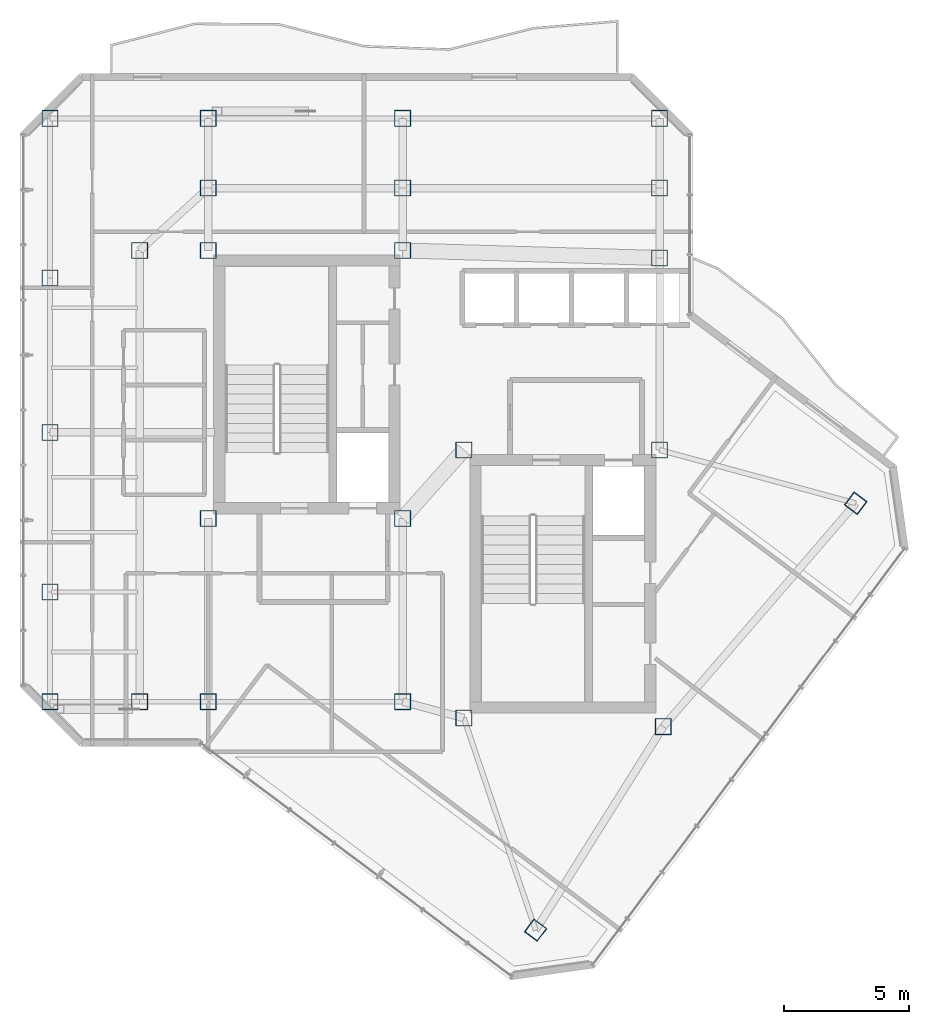
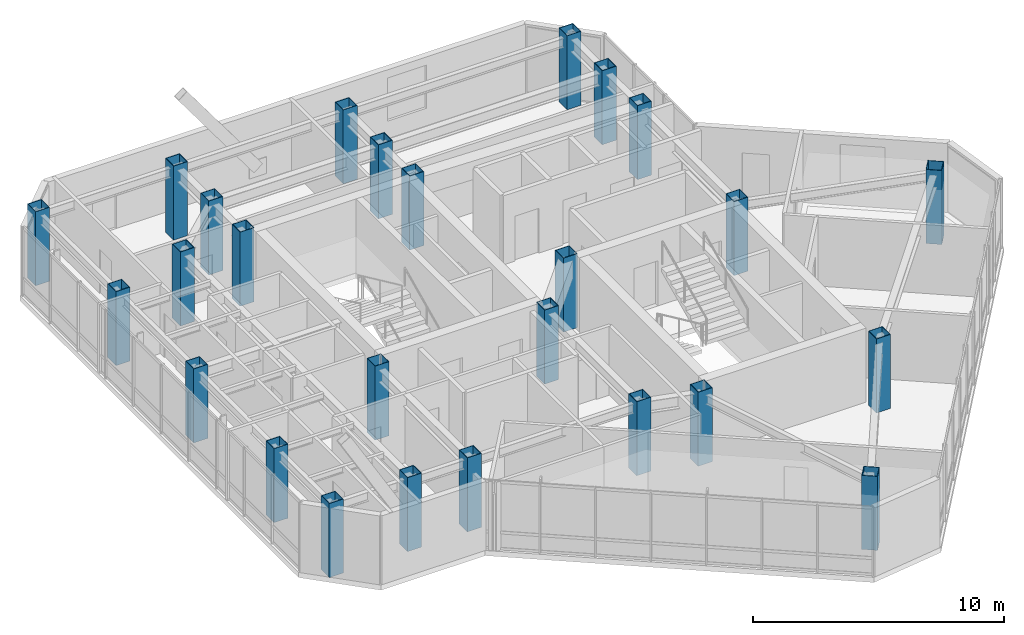
# One storey, part 1 of 22: 26 columns.
"""IFC4 building model written with IfcOpenShell, lengths in metres."""

from ifc_helpers import new_model, si_unit, direction, frame, origin, origin_2d, place, context, subcontext, project, spatial, hollow_rectangle, extrude, material, material_profile, profile_set, type_object, element, save


model = new_model("IFC4")

# Units and contexts
model_context = context("Model", 3, precision=1e-05, world=origin(), true_north=direction((0.0, 1.0)))
body_context = subcontext(model_context, "Body", "Model", "MODEL_VIEW")
ifc_project = project(units=[si_unit("LENGTHUNIT", "METRE"), si_unit("AREAUNIT", "SQUARE_METRE"), si_unit("VOLUMEUNIT", "CUBIC_METRE"), si_unit("PLANEANGLEUNIT", "RADIAN"), si_unit("MASSUNIT", "GRAM", prefix="KILO")], contexts=[model_context])

# Site, building, storey
site_placement = place(None, origin())
site = spatial("IfcSite", under=ifc_project, at=site_placement, CompositionType="ELEMENT")
building_placement = place(site_placement, origin())
building = spatial("IfcBuilding", under=site, at=building_placement, Name="Hatsunagi Terrace Concourse", CompositionType="ELEMENT")
storey_placement = place(building_placement, frame((0.0, 0.0, 243.14990234375)))
storey = spatial("IfcBuildingStorey", under=building, at=storey_placement, Name="L64", CompositionType="ELEMENT", Elevation=243.14990234375)

# Columns
ifc_material = material(Name="Steel BCP325T", Category="steel")
ifc_material_profile = material_profile(ifc_material, hollow_rectangle(XDim=0.64990234375, YDim=0.64990234375, WallThickness=0.02490234375, at=origin_2d()), Name="BCP-650x650x25")
ifc_profile_set = profile_set([ifc_material_profile], Name="Steel BCP325T")
column_type = type_object("IfcColumnType", Name="TowerBoxColumn_650x650x25", PredefinedType="COLUMN", material=ifc_profile_set)
for number, where, z_axis, x_axis, name in (
    (1, (25.550048828125, 32.550048828125, 0.0), (0.0, 0.0, 1.0), (1.0, 0.0, 0.0), "Column C-09 L64-CASW"),
    (2, (33.35009765625, 32.550048828125, 0.0), (0.0, 0.0, 1.0), (1.0, 0.0, 0.0), "Column C-09 L64-CASE"),
    (3, (25.550048828125, 43.300048828125, 0.0), (0.0, 0.0, 1.0), (1.0, 0.0, 0.0), "Column C-09 L64-CANW"),
    (4, (33.35009765625, 43.300048828125, 0.0), (0.0, 0.0, 1.0), (1.0, 0.0, 0.0), "Column C-09 L64-CANE"),
    (5, (35.800048828125, 24.550048828125, 0.0), (0.0, 0.0, 1.0), (1.0, 0.0, 0.0), "Column C-09 L64-CBSW"),
    (6, (43.800048828125, 24.199951171875, 0.0), (0.0, 0.0, 1.0), (1.0, 0.0, 0.0), "Column C-09 L64-CBSE"),
    (7, (35.800048828125, 35.300048828125, 0.0), (0.0, 0.0, 1.0), (1.0, 0.0, 0.0), "Column C-09 L64-CBNW"),
    (8, (43.64990234375, 35.300048828125, 0.0), (0.0, 0.0, 1.0), (1.0, 0.0, 0.0), "Column C-09 L64-CBNE"),
    (9, (25.550048828125, 25.199951171875, 0.0), (0.0, 0.0, 1.0), (1.0, 0.0, 0.0), "Column C-09 L64-K1"),
    (10, (33.35009765625, 25.199951171875, 0.0), (0.0, 0.0, 1.0), (1.0, 0.0, 0.0), "Column C-09 L64-K2"),
    (11, (43.64990234375, 43.0, 0.0), (0.0, 0.0, 1.0), (1.0, 0.0, 0.0), "Column C-09 L64-K3"),
    (12, (25.550048828125, 45.800048828125, 0.0), (0.0, 0.0, 1.0), (1.0, 0.0, 0.0), "Column C-09 L64-CN1"),
    (13, (33.35009765625, 45.800048828125, 0.0), (0.0, 0.0, 1.0), (1.0, 0.0, 0.0), "Column C-09 L64-CN2"),
    (14, (43.64990234375, 45.800048828125, 0.0), (0.0, 0.0, 1.0), (1.0, 0.0, 0.0), "Column C-09 L64-CN3"),
    (15, (19.199951171875, 48.60009765625, 0.0), (0.0, 0.0, 1.0), (1.0, 0.0, 0.0), "Column C-09 L64-WN3"),
    (16, (25.550048828125, 48.60009765625, 0.0), (0.0, 0.0, 1.0), (1.0, 0.0, 0.0), "Column C-09 L64-WN4"),
    (17, (33.35009765625, 48.60009765625, 0.0), (0.0, 0.0, 1.0), (1.0, 0.0, 0.0), "Column C-09 L64-WN5"),
    (18, (43.64990234375, 48.60009765625, 0.0), (0.0, 0.0, 1.0), (1.0, 0.0, 0.0), "Column C-09 L64-WN6"),
    (19, (19.199951171875, 25.199951171875, 0.0), (0.0, 0.0, 1.0), (1.0, 0.0, 0.0), "Column C-09 L64-WS3"),
    (20, (19.199951171875, 29.60009765625, 0.0), (0.0, 0.0, 1.0), (1.0, 0.0, 0.0), "Column C-09 L64-WR1"),
    (21, (19.199951171875, 42.199951171875, 0.0), (0.0, 0.0, 1.0), (1.0, 0.0, 0.0), "Column C-09 L64-WR2"),
    (22, (22.800048828125, 25.199951171875, 0.0), (0.0, 0.0, 1.0), (1.0, 0.0, 0.0), "Column C-09 L64-CW1"),
    (23, (22.800048828125, 43.300048828125, 0.0), (0.0, 0.0, 1.0), (1.0, 0.0, 0.0), "Column C-09 L64-CW2"),
    (24, (19.199951171875, 36.0, 0.0), (0.0, 0.0, 1.0), (1.0, 0.0, 0.0), "Column C-09 L64-WT2"),
    (25, (38.679931640625, 16.0400390625, 0.0), (0.0, 0.0, 1.0), (0.799999996291, -0.600000004945, 0.0), "Column C-09 L64-SES1"),
    (26, (51.52001953125, 33.159912109375, 0.0), (0.0, 0.0, 1.0), (0.799999996291, -0.600000004945, 0.0), "Column C-09 L64-SEN1"),
):
    element("IfcColumn", number, at=place(storey_placement, frame(where, z_axis=z_axis, x_axis=x_axis)), inside=storey, type_object=column_type, Name=name, PredefinedType="COLUMN", context=body_context, shape_type="SweptSolid", body=[
        extrude(hollow_rectangle(XDim=0.64990234375, YDim=0.64990234375, WallThickness=0.02490234375, at=origin_2d()), origin(), (0.0, 0.0, 1.0), 3.60009765625),
    ])

save(model, "model.ifc")
